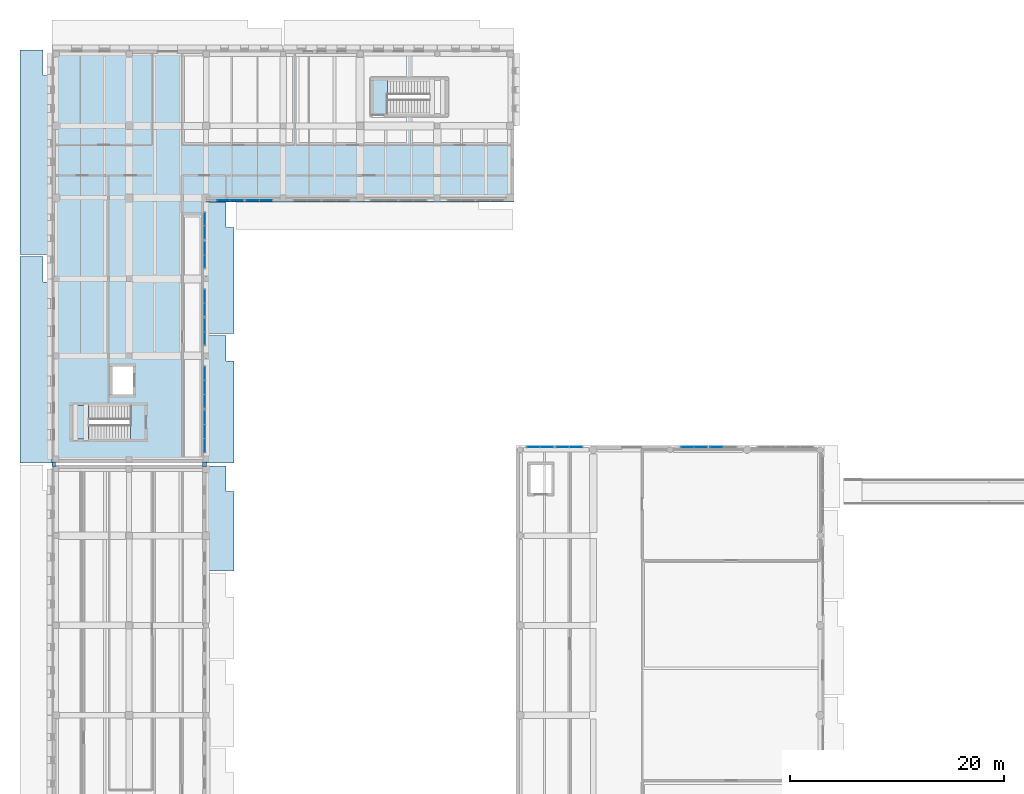
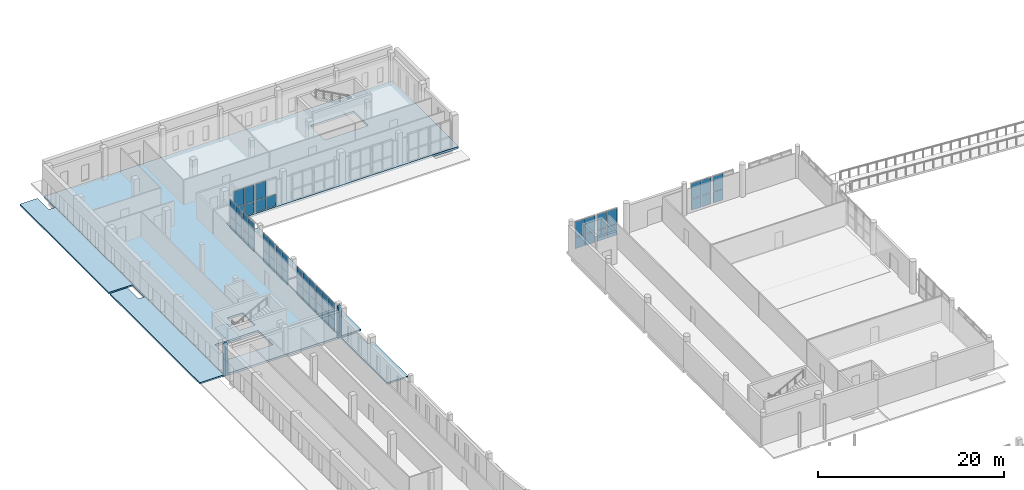
# One storey, part 42 of 77: 51 plates, 7 slabs, 13 elements without a shape of their own.
"""IFC4 building model written with IfcOpenShell, lengths in metres."""

from ifc_helpers import new_model, si_unit, direction, frame, origin, origin_2d, place, context, subcontext, project, spatial, polyline, rectangle, outline, extrude, material, layer, layer_set, type_object, element, aggregate, save


model = new_model("IFC4")

# Units and contexts
model_context = context("Model", 3, precision=1e-05, world=origin(), true_north=direction((0.0, 1.0)))
body_context = subcontext(model_context, "Body", "Model", "MODEL_VIEW")
ifc_project = project(units=[si_unit("LENGTHUNIT", "METRE"), si_unit("AREAUNIT", "SQUARE_METRE"), si_unit("VOLUMEUNIT", "CUBIC_METRE"), si_unit("PLANEANGLEUNIT", "RADIAN"), si_unit("MASSUNIT", "GRAM", prefix="KILO")], contexts=[model_context])

# Site, building, storey
site_placement = place(None, origin())
site = spatial("IfcSite", under=ifc_project, at=site_placement, CompositionType="ELEMENT")
building_placement = place(site_placement, origin())
building = spatial("IfcBuilding", under=site, at=building_placement, Name="Vardoun Plaza Health Centre", CompositionType="ELEMENT")
storey_placement = place(building_placement, origin())
storey = spatial("IfcBuildingStorey", under=building, at=storey_placement, Name="L00", CompositionType="ELEMENT", Elevation=0.0)

# Curtain wall, plates
ifc_material_1 = material(Name="Aluminium Alloy EN AW-6063-T6 and Low-E Glass", Category="aluminium")
ifc_layer_1 = layer(ifc_material_1, 0.159912109375)
ifc_layer_set_1 = layer_set([ifc_layer_1], Name="Aluminium Alloy EN AW-6063-T6 and Low-E Glass")
curtain_wall_type_1 = type_object("IfcCurtainWallType", Name="CW-02", PredefinedType="USERDEFINED", material=ifc_layer_set_1)
curtain_wall_1_placement = place(storey_placement, origin())
curtain_wall_1 = element("IfcCurtainWall", 1, at=curtain_wall_1_placement, inside=storey, type_object=curtain_wall_type_1, Name="Curtain Wall CW-V3-051", ObjectType="COURTYARD_CURTAIN_WALL", PredefinedType="USERDEFINED")
ifc_material_2 = material(Name="Solar-Control Double Low-E Glazing", Category="glass")
ifc_layer_2 = layer(ifc_material_2, 0.028076171875)
ifc_layer_set_2 = layer_set([ifc_layer_2], Name="Solar-Control Double Low-E Glazing")
plate_type_1 = type_object("IfcPlateType", Name="CW-P1", PredefinedType="CURTAIN_PANEL", material=ifc_layer_set_2)
plate_1_placement = place(storey_placement, frame((24.485107421875, 101.219970703125, 0.06005859375), z_axis=(0.0, 0.0, 1.0), x_axis=(-1.0, 0.0, 0.0)))
plate_1 = element("IfcPlate", 2, at=plate_1_placement, type_object=plate_type_1, Name="CW-V3-051 panel 1.1", PredefinedType="CURTAIN_PANEL", context=body_context, shape_type="SweptSolid", body=[
    extrude(rectangle(XDim=1.18994140625, YDim=0.028076171875, at=origin_2d()), origin(), (0.0, 0.0, 1.0), 1.514404296875),
])
plate_2_placement = place(storey_placement, frame((23.235107421875, 101.219970703125, 0.06005859375), z_axis=(0.0, 0.0, 1.0), x_axis=(-1.0, 0.0, 0.0)))
plate_2 = element("IfcPlate", 3, at=plate_2_placement, type_object=plate_type_1, Name="CW-V3-051 panel 2.1", PredefinedType="CURTAIN_PANEL", context=body_context, shape_type="SweptSolid", body=[
    extrude(rectangle(XDim=1.18994140625, YDim=0.028076171875, at=origin_2d()), origin(), (0.0, 0.0, 1.0), 1.514404296875),
])
plate_3_placement = place(storey_placement, frame((23.235107421875, 101.219970703125, 1.634521484375), z_axis=(0.0, 0.0, 1.0), x_axis=(-1.0, 0.0, 0.0)))
plate_3 = element("IfcPlate", 4, at=plate_3_placement, type_object=plate_type_1, Name="CW-V3-051 panel 2.2", PredefinedType="CURTAIN_PANEL", context=body_context, shape_type="SweptSolid", body=[
    extrude(rectangle(XDim=1.18994140625, YDim=0.028076171875, at=origin_2d()), origin(), (0.0, 0.0, 1.0), 2.12548828125),
])
aggregate(curtain_wall_1, [plate_1, plate_2, plate_3])

curtain_wall_2_placement = place(storey_placement, origin())
curtain_wall_2 = element("IfcCurtainWall", 5, at=curtain_wall_2_placement, inside=storey, type_object=curtain_wall_type_1, Name="Curtain Wall CW-V3-052", ObjectType="COURTYARD_CURTAIN_WALL", PredefinedType="USERDEFINED")
plate_4_placement = place(storey_placement, frame((21.764892578125, 101.219970703125, 0.06005859375), z_axis=(0.0, 0.0, 1.0), x_axis=(-1.0, 0.0, 0.0)))
plate_4 = element("IfcPlate", 6, at=plate_4_placement, type_object=plate_type_1, Name="CW-V3-052 panel 1.1", PredefinedType="CURTAIN_PANEL", context=body_context, shape_type="SweptSolid", body=[
    extrude(rectangle(XDim=1.18994140625, YDim=0.028076171875, at=origin_2d()), origin(), (0.0, 0.0, 1.0), 1.514404296875),
])
plate_5_placement = place(storey_placement, frame((21.764892578125, 101.219970703125, 1.634521484375), z_axis=(0.0, 0.0, 1.0), x_axis=(-1.0, 0.0, 0.0)))
plate_5 = element("IfcPlate", 7, at=plate_5_placement, type_object=plate_type_1, Name="CW-V3-052 panel 1.2", PredefinedType="CURTAIN_PANEL", context=body_context, shape_type="SweptSolid", body=[
    extrude(rectangle(XDim=1.18994140625, YDim=0.028076171875, at=origin_2d()), origin(), (0.0, 0.0, 1.0), 2.12548828125),
])
plate_6_placement = place(storey_placement, frame((20.514892578125, 101.219970703125, 0.06005859375), z_axis=(0.0, 0.0, 1.0), x_axis=(-1.0, 0.0, 0.0)))
plate_6 = element("IfcPlate", 8, at=plate_6_placement, type_object=plate_type_1, Name="CW-V3-052 panel 2.1", PredefinedType="CURTAIN_PANEL", context=body_context, shape_type="SweptSolid", body=[
    extrude(rectangle(XDim=1.18994140625, YDim=0.028076171875, at=origin_2d()), origin(), (0.0, 0.0, 1.0), 1.514404296875),
])
plate_7_placement = place(storey_placement, frame((20.514892578125, 101.219970703125, 1.634521484375), z_axis=(0.0, 0.0, 1.0), x_axis=(-1.0, 0.0, 0.0)))
plate_7 = element("IfcPlate", 9, at=plate_7_placement, type_object=plate_type_1, Name="CW-V3-052 panel 2.2", PredefinedType="CURTAIN_PANEL", context=body_context, shape_type="SweptSolid", body=[
    extrude(rectangle(XDim=1.18994140625, YDim=0.028076171875, at=origin_2d()), origin(), (0.0, 0.0, 1.0), 2.12548828125),
])
aggregate(curtain_wall_2, [plate_4, plate_5, plate_6, plate_7])

curtain_wall_3_placement = place(storey_placement, origin())
curtain_wall_3 = element("IfcCurtainWall", 10, at=curtain_wall_3_placement, inside=storey, type_object=curtain_wall_type_1, Name="Curtain Wall CW-V3-053", ObjectType="COURTYARD_CURTAIN_WALL", PredefinedType="USERDEFINED")
plate_8_placement = place(storey_placement, frame((18.780029296875, 99.485107421875, 0.06005859375), z_axis=(0.0, 0.0, 1.0), x_axis=(0.0, -1.0, 0.0)))
plate_8 = element("IfcPlate", 11, at=plate_8_placement, type_object=plate_type_1, Name="CW-V3-053 panel 1.1", PredefinedType="CURTAIN_PANEL", context=body_context, shape_type="SweptSolid", body=[
    extrude(rectangle(XDim=1.18994140625, YDim=0.028076171875, at=origin_2d()), origin(), (0.0, 0.0, 1.0), 1.522705078125),
])
plate_9_placement = place(storey_placement, frame((18.780029296875, 99.485107421875, 1.642822265625), z_axis=(0.0, 0.0, 1.0), x_axis=(0.0, -1.0, 0.0)))
plate_9 = element("IfcPlate", 12, at=plate_9_placement, type_object=plate_type_1, Name="CW-V3-053 panel 1.2", PredefinedType="CURTAIN_PANEL", context=body_context, shape_type="SweptSolid", body=[
    extrude(rectangle(XDim=1.18994140625, YDim=0.028076171875, at=origin_2d()), origin(), (0.0, 0.0, 1.0), 2.13720703125),
])
plate_10_placement = place(storey_placement, frame((18.780029296875, 98.235107421875, 0.06005859375), z_axis=(0.0, 0.0, 1.0), x_axis=(0.0, -1.0, 0.0)))
plate_10 = element("IfcPlate", 13, at=plate_10_placement, type_object=plate_type_1, Name="CW-V3-053 panel 2.1", PredefinedType="CURTAIN_PANEL", context=body_context, shape_type="SweptSolid", body=[
    extrude(rectangle(XDim=1.18994140625, YDim=0.028076171875, at=origin_2d()), origin(), (0.0, 0.0, 1.0), 1.522705078125),
])
plate_11_placement = place(storey_placement, frame((18.780029296875, 98.235107421875, 1.642822265625), z_axis=(0.0, 0.0, 1.0), x_axis=(0.0, -1.0, 0.0)))
plate_11 = element("IfcPlate", 14, at=plate_11_placement, type_object=plate_type_1, Name="CW-V3-053 panel 2.2", PredefinedType="CURTAIN_PANEL", context=body_context, shape_type="SweptSolid", body=[
    extrude(rectangle(XDim=1.18994140625, YDim=0.028076171875, at=origin_2d()), origin(), (0.0, 0.0, 1.0), 2.13720703125),
])
aggregate(curtain_wall_3, [plate_8, plate_9, plate_10, plate_11])

curtain_wall_4_placement = place(storey_placement, origin())
curtain_wall_4 = element("IfcCurtainWall", 15, at=curtain_wall_4_placement, inside=storey, type_object=curtain_wall_type_1, Name="Curtain Wall CW-V3-054", ObjectType="COURTYARD_CURTAIN_WALL", PredefinedType="USERDEFINED")
plate_12_placement = place(storey_placement, frame((18.780029296875, 96.764892578125, 0.06005859375), z_axis=(0.0, 0.0, 1.0), x_axis=(0.0, -1.0, 0.0)))
plate_12 = element("IfcPlate", 16, at=plate_12_placement, type_object=plate_type_1, Name="CW-V3-054 panel 1.1", PredefinedType="CURTAIN_PANEL", context=body_context, shape_type="SweptSolid", body=[
    extrude(rectangle(XDim=1.18994140625, YDim=0.028076171875, at=origin_2d()), origin(), (0.0, 0.0, 1.0), 1.522705078125),
])
plate_13_placement = place(storey_placement, frame((18.780029296875, 96.764892578125, 1.642822265625), z_axis=(0.0, 0.0, 1.0), x_axis=(0.0, -1.0, 0.0)))
plate_13 = element("IfcPlate", 17, at=plate_13_placement, type_object=plate_type_1, Name="CW-V3-054 panel 1.2", PredefinedType="CURTAIN_PANEL", context=body_context, shape_type="SweptSolid", body=[
    extrude(rectangle(XDim=1.18994140625, YDim=0.028076171875, at=origin_2d()), origin(), (0.0, 0.0, 1.0), 2.13720703125),
])
plate_14_placement = place(storey_placement, frame((18.780029296875, 95.514892578125, 0.06005859375), z_axis=(0.0, 0.0, 1.0), x_axis=(0.0, -1.0, 0.0)))
plate_14 = element("IfcPlate", 18, at=plate_14_placement, type_object=plate_type_1, Name="CW-V3-054 panel 2.1", PredefinedType="CURTAIN_PANEL", context=body_context, shape_type="SweptSolid", body=[
    extrude(rectangle(XDim=1.18994140625, YDim=0.028076171875, at=origin_2d()), origin(), (0.0, 0.0, 1.0), 1.522705078125),
])
plate_15_placement = place(storey_placement, frame((18.780029296875, 95.514892578125, 1.642822265625), z_axis=(0.0, 0.0, 1.0), x_axis=(0.0, -1.0, 0.0)))
plate_15 = element("IfcPlate", 19, at=plate_15_placement, type_object=plate_type_1, Name="CW-V3-054 panel 2.2", PredefinedType="CURTAIN_PANEL", context=body_context, shape_type="SweptSolid", body=[
    extrude(rectangle(XDim=1.18994140625, YDim=0.028076171875, at=origin_2d()), origin(), (0.0, 0.0, 1.0), 2.13720703125),
])
aggregate(curtain_wall_4, [plate_12, plate_13, plate_14, plate_15])

curtain_wall_5_placement = place(storey_placement, origin())
curtain_wall_5 = element("IfcCurtainWall", 20, at=curtain_wall_5_placement, inside=storey, type_object=curtain_wall_type_1, Name="Curtain Wall CW-V3-055", ObjectType="COURTYARD_CURTAIN_WALL", PredefinedType="USERDEFINED")
plate_16_placement = place(storey_placement, frame((18.780029296875, 92.284912109375, 0.06005859375), z_axis=(0.0, 0.0, 1.0), x_axis=(0.0, -1.0, 0.0)))
plate_16 = element("IfcPlate", 21, at=plate_16_placement, type_object=plate_type_1, Name="CW-V3-055 panel 1.1", PredefinedType="CURTAIN_PANEL", context=body_context, shape_type="SweptSolid", body=[
    extrude(rectangle(XDim=1.18994140625, YDim=0.028076171875, at=origin_2d()), origin(), (0.0, 0.0, 1.0), 1.514404296875),
])
plate_17_placement = place(storey_placement, frame((18.780029296875, 92.284912109375, 1.634521484375), z_axis=(0.0, 0.0, 1.0), x_axis=(0.0, -1.0, 0.0)))
plate_17 = element("IfcPlate", 22, at=plate_17_placement, type_object=plate_type_1, Name="CW-V3-055 panel 1.2", PredefinedType="CURTAIN_PANEL", context=body_context, shape_type="SweptSolid", body=[
    extrude(rectangle(XDim=1.18994140625, YDim=0.028076171875, at=origin_2d()), origin(), (0.0, 0.0, 1.0), 2.12548828125),
])
plate_18_placement = place(storey_placement, frame((18.780029296875, 91.034912109375, 0.06005859375), z_axis=(0.0, 0.0, 1.0), x_axis=(0.0, -1.0, 0.0)))
plate_18 = element("IfcPlate", 23, at=plate_18_placement, type_object=plate_type_1, Name="CW-V3-055 panel 2.1", PredefinedType="CURTAIN_PANEL", context=body_context, shape_type="SweptSolid", body=[
    extrude(rectangle(XDim=1.18994140625, YDim=0.028076171875, at=origin_2d()), origin(), (0.0, 0.0, 1.0), 1.514404296875),
])
plate_19_placement = place(storey_placement, frame((18.780029296875, 91.034912109375, 1.634521484375), z_axis=(0.0, 0.0, 1.0), x_axis=(0.0, -1.0, 0.0)))
plate_19 = element("IfcPlate", 24, at=plate_19_placement, type_object=plate_type_1, Name="CW-V3-055 panel 2.2", PredefinedType="CURTAIN_PANEL", context=body_context, shape_type="SweptSolid", body=[
    extrude(rectangle(XDim=1.18994140625, YDim=0.028076171875, at=origin_2d()), origin(), (0.0, 0.0, 1.0), 2.12548828125),
])
aggregate(curtain_wall_5, [plate_16, plate_17, plate_18, plate_19])

curtain_wall_6_placement = place(storey_placement, origin())
curtain_wall_6 = element("IfcCurtainWall", 25, at=curtain_wall_6_placement, inside=storey, type_object=curtain_wall_type_1, Name="Curtain Wall CW-V3-056", ObjectType="COURTYARD_CURTAIN_WALL", PredefinedType="USERDEFINED")
plate_20_placement = place(storey_placement, frame((18.780029296875, 89.56494140625, 0.06005859375), z_axis=(0.0, 0.0, 1.0), x_axis=(0.0, -1.0, 0.0)))
plate_20 = element("IfcPlate", 26, at=plate_20_placement, type_object=plate_type_1, Name="CW-V3-056 panel 1.1", PredefinedType="CURTAIN_PANEL", context=body_context, shape_type="SweptSolid", body=[
    extrude(rectangle(XDim=1.18994140625, YDim=0.028076171875, at=origin_2d()), origin(), (0.0, 0.0, 1.0), 1.514404296875),
])
plate_21_placement = place(storey_placement, frame((18.780029296875, 89.56494140625, 1.634521484375), z_axis=(0.0, 0.0, 1.0), x_axis=(0.0, -1.0, 0.0)))
plate_21 = element("IfcPlate", 27, at=plate_21_placement, type_object=plate_type_1, Name="CW-V3-056 panel 1.2", PredefinedType="CURTAIN_PANEL", context=body_context, shape_type="SweptSolid", body=[
    extrude(rectangle(XDim=1.18994140625, YDim=0.028076171875, at=origin_2d()), origin(), (0.0, 0.0, 1.0), 2.12548828125),
])
plate_22_placement = place(storey_placement, frame((18.780029296875, 88.31494140625, 0.06005859375), z_axis=(0.0, 0.0, 1.0), x_axis=(0.0, -1.0, 0.0)))
plate_22 = element("IfcPlate", 28, at=plate_22_placement, type_object=plate_type_1, Name="CW-V3-056 panel 2.1", PredefinedType="CURTAIN_PANEL", context=body_context, shape_type="SweptSolid", body=[
    extrude(rectangle(XDim=1.18994140625, YDim=0.028076171875, at=origin_2d()), origin(), (0.0, 0.0, 1.0), 1.514404296875),
])
plate_23_placement = place(storey_placement, frame((18.780029296875, 88.31494140625, 1.634521484375), z_axis=(0.0, 0.0, 1.0), x_axis=(0.0, -1.0, 0.0)))
plate_23 = element("IfcPlate", 29, at=plate_23_placement, type_object=plate_type_1, Name="CW-V3-056 panel 2.2", PredefinedType="CURTAIN_PANEL", context=body_context, shape_type="SweptSolid", body=[
    extrude(rectangle(XDim=1.18994140625, YDim=0.028076171875, at=origin_2d()), origin(), (0.0, 0.0, 1.0), 2.12548828125),
])
aggregate(curtain_wall_6, [plate_20, plate_21, plate_22, plate_23])

curtain_wall_7_placement = place(storey_placement, origin())
curtain_wall_7 = element("IfcCurtainWall", 30, at=curtain_wall_7_placement, inside=storey, type_object=curtain_wall_type_1, Name="Curtain Wall CW-V3-057", ObjectType="COURTYARD_CURTAIN_WALL", PredefinedType="USERDEFINED")
plate_24_placement = place(storey_placement, frame((18.780029296875, 85.063232421875, 0.06005859375), z_axis=(0.0, 0.0, 1.0), x_axis=(0.0, -1.0, 0.0)))
plate_24 = element("IfcPlate", 31, at=plate_24_placement, type_object=plate_type_1, Name="CW-V3-057 panel 1.1", PredefinedType="CURTAIN_PANEL", context=body_context, shape_type="SweptSolid", body=[
    extrude(rectangle(XDim=1.2333984375, YDim=0.028076171875, at=origin_2d()), origin(), (0.0, 0.0, 1.0), 1.506103515625),
])
plate_25_placement = place(storey_placement, frame((18.780029296875, 85.063232421875, 1.6259765625), z_axis=(0.0, 0.0, 1.0), x_axis=(0.0, -1.0, 0.0)))
plate_25 = element("IfcPlate", 32, at=plate_25_placement, type_object=plate_type_1, Name="CW-V3-057 panel 1.2", PredefinedType="CURTAIN_PANEL", context=body_context, shape_type="SweptSolid", body=[
    extrude(rectangle(XDim=1.2333984375, YDim=0.028076171875, at=origin_2d()), origin(), (0.0, 0.0, 1.0), 2.114013671875),
])
plate_26_placement = place(storey_placement, frame((18.780029296875, 83.7548828125, 0.06005859375), z_axis=(0.0, 0.0, 1.0), x_axis=(0.0, -1.0, 0.0)))
plate_26 = element("IfcPlate", 33, at=plate_26_placement, type_object=plate_type_1, Name="CW-V3-057 panel 2.1", PredefinedType="CURTAIN_PANEL", context=body_context, shape_type="SweptSolid", body=[
    extrude(rectangle(XDim=1.263427734375, YDim=0.028076171875, at=origin_2d()), origin(), (0.0, 0.0, 1.0), 1.506103515625),
])
plate_27_placement = place(storey_placement, frame((18.780029296875, 83.7548828125, 1.6259765625), z_axis=(0.0, 0.0, 1.0), x_axis=(0.0, -1.0, 0.0)))
plate_27 = element("IfcPlate", 34, at=plate_27_placement, type_object=plate_type_1, Name="CW-V3-057 panel 2.2", PredefinedType="CURTAIN_PANEL", context=body_context, shape_type="SweptSolid", body=[
    extrude(rectangle(XDim=1.263427734375, YDim=0.028076171875, at=origin_2d()), origin(), (0.0, 0.0, 1.0), 2.114013671875),
])
plate_28_placement = place(storey_placement, frame((18.780029296875, 82.44677734375, 0.06005859375), z_axis=(0.0, 0.0, 1.0), x_axis=(0.0, -1.0, 0.0)))
plate_28 = element("IfcPlate", 35, at=plate_28_placement, type_object=plate_type_1, Name="CW-V3-057 panel 3.1", PredefinedType="CURTAIN_PANEL", context=body_context, shape_type="SweptSolid", body=[
    extrude(rectangle(XDim=1.2333984375, YDim=0.028076171875, at=origin_2d()), origin(), (0.0, 0.0, 1.0), 1.506103515625),
])
plate_29_placement = place(storey_placement, frame((18.780029296875, 82.44677734375, 1.6259765625), z_axis=(0.0, 0.0, 1.0), x_axis=(0.0, -1.0, 0.0)))
plate_29 = element("IfcPlate", 36, at=plate_29_placement, type_object=plate_type_1, Name="CW-V3-057 panel 3.2", PredefinedType="CURTAIN_PANEL", context=body_context, shape_type="SweptSolid", body=[
    extrude(rectangle(XDim=1.2333984375, YDim=0.028076171875, at=origin_2d()), origin(), (0.0, 0.0, 1.0), 2.114013671875),
])
aggregate(curtain_wall_7, [plate_24, plate_25, plate_26, plate_27, plate_28, plate_29])

curtain_wall_8_placement = place(storey_placement, origin())
curtain_wall_8 = element("IfcCurtainWall", 37, at=curtain_wall_8_placement, inside=storey, type_object=curtain_wall_type_1, Name="Curtain Wall CW-V3-058", ObjectType="COURTYARD_CURTAIN_WALL", PredefinedType="USERDEFINED")
plate_30_placement = place(storey_placement, frame((18.780029296875, 80.933349609375, 0.06005859375), z_axis=(0.0, 0.0, 1.0), x_axis=(0.0, -1.0, 0.0)))
plate_30 = element("IfcPlate", 38, at=plate_30_placement, type_object=plate_type_1, Name="CW-V3-058 panel 1.1", PredefinedType="CURTAIN_PANEL", context=body_context, shape_type="SweptSolid", body=[
    extrude(rectangle(XDim=1.2333984375, YDim=0.028076171875, at=origin_2d()), origin(), (0.0, 0.0, 1.0), 1.506103515625),
])
plate_31_placement = place(storey_placement, frame((18.780029296875, 80.933349609375, 1.6259765625), z_axis=(0.0, 0.0, 1.0), x_axis=(0.0, -1.0, 0.0)))
plate_31 = element("IfcPlate", 39, at=plate_31_placement, type_object=plate_type_1, Name="CW-V3-058 panel 1.2", PredefinedType="CURTAIN_PANEL", context=body_context, shape_type="SweptSolid", body=[
    extrude(rectangle(XDim=1.2333984375, YDim=0.028076171875, at=origin_2d()), origin(), (0.0, 0.0, 1.0), 2.114013671875),
])
plate_32_placement = place(storey_placement, frame((18.780029296875, 79.625, 0.06005859375), z_axis=(0.0, 0.0, 1.0), x_axis=(0.0, -1.0, 0.0)))
plate_32 = element("IfcPlate", 40, at=plate_32_placement, type_object=plate_type_1, Name="CW-V3-058 panel 2.1", PredefinedType="CURTAIN_PANEL", context=body_context, shape_type="SweptSolid", body=[
    extrude(rectangle(XDim=1.263427734375, YDim=0.028076171875, at=origin_2d()), origin(), (0.0, 0.0, 1.0), 1.506103515625),
])
plate_33_placement = place(storey_placement, frame((18.780029296875, 79.625, 1.6259765625), z_axis=(0.0, 0.0, 1.0), x_axis=(0.0, -1.0, 0.0)))
plate_33 = element("IfcPlate", 41, at=plate_33_placement, type_object=plate_type_1, Name="CW-V3-058 panel 2.2", PredefinedType="CURTAIN_PANEL", context=body_context, shape_type="SweptSolid", body=[
    extrude(rectangle(XDim=1.263427734375, YDim=0.028076171875, at=origin_2d()), origin(), (0.0, 0.0, 1.0), 2.114013671875),
])
plate_34_placement = place(storey_placement, frame((18.780029296875, 78.316650390625, 0.06005859375), z_axis=(0.0, 0.0, 1.0), x_axis=(0.0, -1.0, 0.0)))
plate_34 = element("IfcPlate", 42, at=plate_34_placement, type_object=plate_type_1, Name="CW-V3-058 panel 3.1", PredefinedType="CURTAIN_PANEL", context=body_context, shape_type="SweptSolid", body=[
    extrude(rectangle(XDim=1.2333984375, YDim=0.028076171875, at=origin_2d()), origin(), (0.0, 0.0, 1.0), 1.506103515625),
])
plate_35_placement = place(storey_placement, frame((18.780029296875, 78.316650390625, 1.6259765625), z_axis=(0.0, 0.0, 1.0), x_axis=(0.0, -1.0, 0.0)))
plate_35 = element("IfcPlate", 43, at=plate_35_placement, type_object=plate_type_1, Name="CW-V3-058 panel 3.2", PredefinedType="CURTAIN_PANEL", context=body_context, shape_type="SweptSolid", body=[
    extrude(rectangle(XDim=1.2333984375, YDim=0.028076171875, at=origin_2d()), origin(), (0.0, 0.0, 1.0), 2.114013671875),
])
aggregate(curtain_wall_8, [plate_30, plate_31, plate_32, plate_33, plate_34, plate_35])

ifc_material_3 = material(Name="Aluminium Alloy EN AW-6063-T6 and Low-E Glass", Category="aluminium")
ifc_layer_3 = layer(ifc_material_3, 0.179931640625)
ifc_layer_set_3 = layer_set([ifc_layer_3], Name="Aluminium Alloy EN AW-6063-T6 and Low-E Glass")
curtain_wall_type_2 = type_object("IfcCurtainWallType", Name="CW-01", PredefinedType="USERDEFINED", material=ifc_layer_set_3)
curtain_wall_9_placement = place(storey_placement, origin())
curtain_wall_9 = element("IfcCurtainWall", 44, at=curtain_wall_9_placement, inside=storey, type_object=curtain_wall_type_2, Name="Curtain Wall CW-V1-001", ObjectType="CONCOURSE_CURTAIN_WALL", PredefinedType="USERDEFINED")
ifc_material_4 = material(Name="Acoustic Laminated Double Low-E Glazing", Category="glass")
ifc_layer_4 = layer(ifc_material_4, 0.031982421875)
ifc_layer_set_4 = layer_set([ifc_layer_4], Name="Acoustic Laminated Double Low-E Glazing")
plate_type_2 = type_object("IfcPlateType", Name="CW-P2", PredefinedType="CURTAIN_PANEL", material=ifc_layer_set_4)
plate_36_placement = place(storey_placement, frame((49.496337890625, 78.179931640625, 0.06494140625), z_axis=(0.0, 0.0, 1.0), x_axis=(1.0, 0.0, 0.0)))
plate_36 = element("IfcPlate", 45, at=plate_36_placement, type_object=plate_type_2, Name="CW-V1-001 panel 1.1", PredefinedType="CURTAIN_PANEL", context=body_context, shape_type="SweptSolid", body=[
    extrude(rectangle(XDim=1.1826171875, YDim=0.031982421875, at=origin_2d()), origin(), (0.0, 0.0, 1.0), 1.4375),
])
plate_37_placement = place(storey_placement, frame((49.496337890625, 78.179931640625, 1.567626953125), z_axis=(0.0, 0.0, 1.0), x_axis=(1.0, 0.0, 0.0)))
plate_37 = element("IfcPlate", 46, at=plate_37_placement, type_object=plate_type_2, Name="CW-V1-001 panel 1.2", PredefinedType="CURTAIN_PANEL", context=body_context, shape_type="SweptSolid", body=[
    extrude(rectangle(XDim=1.1826171875, YDim=0.031982421875, at=origin_2d()), origin(), (0.0, 0.0, 1.0), 2.0224609375),
])
plate_38_placement = place(storey_placement, frame((50.74365234375, 78.179931640625, 0.06494140625), z_axis=(0.0, 0.0, 1.0), x_axis=(1.0, 0.0, 0.0)))
plate_38 = element("IfcPlate", 47, at=plate_38_placement, type_object=plate_type_2, Name="CW-V1-001 panel 2.1", PredefinedType="CURTAIN_PANEL", context=body_context, shape_type="SweptSolid", body=[
    extrude(rectangle(XDim=1.1826171875, YDim=0.031982421875, at=origin_2d()), origin(), (0.0, 0.0, 1.0), 1.4375),
])
plate_39_placement = place(storey_placement, frame((50.74365234375, 78.179931640625, 1.567626953125), z_axis=(0.0, 0.0, 1.0), x_axis=(1.0, 0.0, 0.0)))
plate_39 = element("IfcPlate", 48, at=plate_39_placement, type_object=plate_type_2, Name="CW-V1-001 panel 2.2", PredefinedType="CURTAIN_PANEL", context=body_context, shape_type="SweptSolid", body=[
    extrude(rectangle(XDim=1.1826171875, YDim=0.031982421875, at=origin_2d()), origin(), (0.0, 0.0, 1.0), 2.0224609375),
])
aggregate(curtain_wall_9, [plate_36, plate_37, plate_38, plate_39])

curtain_wall_10_placement = place(storey_placement, origin())
curtain_wall_10 = element("IfcCurtainWall", 49, at=curtain_wall_10_placement, inside=storey, type_object=curtain_wall_type_2, Name="Curtain Wall CW-V1-002", ObjectType="CONCOURSE_CURTAIN_WALL", PredefinedType="USERDEFINED")
plate_40_placement = place(storey_placement, frame((52.21630859375, 78.179931640625, 0.06494140625), z_axis=(0.0, 0.0, 1.0), x_axis=(1.0, 0.0, 0.0)))
plate_40 = element("IfcPlate", 50, at=plate_40_placement, type_object=plate_type_2, Name="CW-V1-002 panel 1.1", PredefinedType="CURTAIN_PANEL", context=body_context, shape_type="SweptSolid", body=[
    extrude(rectangle(XDim=1.1826171875, YDim=0.031982421875, at=origin_2d()), origin(), (0.0, 0.0, 1.0), 1.4375),
])
plate_41_placement = place(storey_placement, frame((52.21630859375, 78.179931640625, 1.567626953125), z_axis=(0.0, 0.0, 1.0), x_axis=(1.0, 0.0, 0.0)))
plate_41 = element("IfcPlate", 51, at=plate_41_placement, type_object=plate_type_2, Name="CW-V1-002 panel 1.2", PredefinedType="CURTAIN_PANEL", context=body_context, shape_type="SweptSolid", body=[
    extrude(rectangle(XDim=1.1826171875, YDim=0.031982421875, at=origin_2d()), origin(), (0.0, 0.0, 1.0), 2.0224609375),
])
plate_42_placement = place(storey_placement, frame((53.4638671875, 78.179931640625, 0.06494140625), z_axis=(0.0, 0.0, 1.0), x_axis=(1.0, 0.0, 0.0)))
plate_42 = element("IfcPlate", 52, at=plate_42_placement, type_object=plate_type_2, Name="CW-V1-002 panel 2.1", PredefinedType="CURTAIN_PANEL", context=body_context, shape_type="SweptSolid", body=[
    extrude(rectangle(XDim=1.1826171875, YDim=0.031982421875, at=origin_2d()), origin(), (0.0, 0.0, 1.0), 1.4375),
])
plate_43_placement = place(storey_placement, frame((53.4638671875, 78.179931640625, 1.567626953125), z_axis=(0.0, 0.0, 1.0), x_axis=(1.0, 0.0, 0.0)))
plate_43 = element("IfcPlate", 53, at=plate_43_placement, type_object=plate_type_2, Name="CW-V1-002 panel 2.2", PredefinedType="CURTAIN_PANEL", context=body_context, shape_type="SweptSolid", body=[
    extrude(rectangle(XDim=1.1826171875, YDim=0.031982421875, at=origin_2d()), origin(), (0.0, 0.0, 1.0), 2.0224609375),
])
aggregate(curtain_wall_10, [plate_40, plate_41, plate_42, plate_43])

curtain_wall_11_placement = place(storey_placement, origin())
curtain_wall_11 = element("IfcCurtainWall", 54, at=curtain_wall_11_placement, inside=storey, type_object=curtain_wall_type_2, Name="Curtain Wall CW-V1-003", ObjectType="CONCOURSE_CURTAIN_WALL", PredefinedType="USERDEFINED")
plate_44_placement = place(storey_placement, frame((63.896240234375, 78.179931640625, 0.06494140625), z_axis=(0.0, 0.0, 1.0), x_axis=(1.0, 0.0, 0.0)))
plate_44 = element("IfcPlate", 55, at=plate_44_placement, type_object=plate_type_2, Name="CW-V1-003 panel 1.1", PredefinedType="CURTAIN_PANEL", context=body_context, shape_type="SweptSolid", body=[
    extrude(rectangle(XDim=1.1826171875, YDim=0.031982421875, at=origin_2d()), origin(), (0.0, 0.0, 1.0), 1.425048828125),
])
plate_45_placement = place(storey_placement, frame((63.896240234375, 78.179931640625, 1.55517578125), z_axis=(0.0, 0.0, 1.0), x_axis=(1.0, 0.0, 0.0)))
plate_45 = element("IfcPlate", 56, at=plate_45_placement, type_object=plate_type_2, Name="CW-V1-003 panel 1.2", PredefinedType="CURTAIN_PANEL", context=body_context, shape_type="SweptSolid", body=[
    extrude(rectangle(XDim=1.1826171875, YDim=0.031982421875, at=origin_2d()), origin(), (0.0, 0.0, 1.0), 2.0048828125),
])
plate_46_placement = place(storey_placement, frame((65.143798828125, 78.179931640625, 0.06494140625), z_axis=(0.0, 0.0, 1.0), x_axis=(1.0, 0.0, 0.0)))
plate_46 = element("IfcPlate", 57, at=plate_46_placement, type_object=plate_type_2, Name="CW-V1-003 panel 2.1", PredefinedType="CURTAIN_PANEL", context=body_context, shape_type="SweptSolid", body=[
    extrude(rectangle(XDim=1.1826171875, YDim=0.031982421875, at=origin_2d()), origin(), (0.0, 0.0, 1.0), 1.425048828125),
])
plate_47_placement = place(storey_placement, frame((65.143798828125, 78.179931640625, 1.55517578125), z_axis=(0.0, 0.0, 1.0), x_axis=(1.0, 0.0, 0.0)))
plate_47 = element("IfcPlate", 58, at=plate_47_placement, type_object=plate_type_2, Name="CW-V1-003 panel 2.2", PredefinedType="CURTAIN_PANEL", context=body_context, shape_type="SweptSolid", body=[
    extrude(rectangle(XDim=1.1826171875, YDim=0.031982421875, at=origin_2d()), origin(), (0.0, 0.0, 1.0), 2.0048828125),
])
aggregate(curtain_wall_11, [plate_44, plate_45, plate_46, plate_47])

curtain_wall_12_placement = place(storey_placement, origin())
curtain_wall_12 = element("IfcCurtainWall", 59, at=curtain_wall_12_placement, inside=storey, type_object=curtain_wall_type_2, Name="Curtain Wall CW-V1-004", ObjectType="CONCOURSE_CURTAIN_WALL", PredefinedType="USERDEFINED")
plate_48_placement = place(storey_placement, frame((66.6162109375, 78.179931640625, 0.06494140625), z_axis=(0.0, 0.0, 1.0), x_axis=(1.0, 0.0, 0.0)))
plate_48 = element("IfcPlate", 60, at=plate_48_placement, type_object=plate_type_2, Name="CW-V1-004 panel 1.1", PredefinedType="CURTAIN_PANEL", context=body_context, shape_type="SweptSolid", body=[
    extrude(rectangle(XDim=1.1826171875, YDim=0.031982421875, at=origin_2d()), origin(), (0.0, 0.0, 1.0), 1.425048828125),
])
plate_49_placement = place(storey_placement, frame((66.6162109375, 78.179931640625, 1.55517578125), z_axis=(0.0, 0.0, 1.0), x_axis=(1.0, 0.0, 0.0)))
plate_49 = element("IfcPlate", 61, at=plate_49_placement, type_object=plate_type_2, Name="CW-V1-004 panel 1.2", PredefinedType="CURTAIN_PANEL", context=body_context, shape_type="SweptSolid", body=[
    extrude(rectangle(XDim=1.1826171875, YDim=0.031982421875, at=origin_2d()), origin(), (0.0, 0.0, 1.0), 2.0048828125),
])
aggregate(curtain_wall_12, [plate_48, plate_49])

# Stair, slab
ifc_material_5 = material(Name="Concrete C35/45", Category="concrete")
stair_type = type_object("IfcStairType", Name="ST-01", PredefinedType="HALF_TURN_STAIR", material=ifc_material_5)
stair_placement = place(storey_placement, origin())
stair = element("IfcStair", 62, at=stair_placement, inside=storey, type_object=stair_type, Name="Core C3 L00 Exit Stair ST-C3-L00", PredefinedType="HALF_TURN_STAIR")
ifc_material_6 = material(Name="Concrete C35/45", Category="concrete")
ifc_layer_5 = layer(ifc_material_6, 0.199951171875)
ifc_layer_set_5 = layer_set([ifc_layer_5], Name="Concrete C35/45")
slab_type_1 = type_object("IfcSlabType", Name="SL-LD", PredefinedType="LANDING", material=ifc_layer_set_5)
slab_1_placement = place(storey_placement, frame((0.0, 0.0, 2.050048828125)))
slab_1 = element("IfcSlab", 63, at=slab_1_placement, type_object=slab_type_1, Name="ST-C3-L00 landing 1", PredefinedType="LANDING", context=body_context, shape_type="SweptSolid", body=[
    extrude(outline(polyline([(6.449951171875, 78.949951171875), (7.9306640625, 78.949951171875), (7.9306640625, 82.050048828125), (6.449951171875, 82.050048828125), (6.449951171875, 78.949951171875)])), origin(), (0.0, 0.0, 1.0), 0.199951171875),
])
aggregate(stair, [slab_1])

# Plates
ifc_material_7 = material(Name="Aluminium Alloy EN AW-6063-T6", Category="aluminium")
ifc_layer_6 = layer(ifc_material_7, 0.050048828125)
ifc_layer_set_6 = layer_set([ifc_layer_6], Name="Aluminium Alloy EN AW-6063-T6")
plate_type_3 = type_object("IfcPlateType", Name="SJ-01", PredefinedType="SHEET", material=ifc_layer_set_6)
for number, where, z_axis, x_axis, name in (
    (64, (4.659912109375, 76.590087890625, 0.0), (0.0, 0.0, 1.0), (1.0, 0.0, 0.0), "Seismic Joint Facade Cover SJ-V23-W-L00"),
    (65, (18.739990234375, 76.590087890625, 0.0), (0.0, 0.0, 1.0), (1.0, 0.0, 0.0), "Seismic Joint Facade Cover SJ-V23-E-L00"),
):
    element("IfcPlate", number, at=place(storey_placement, frame(where, z_axis=z_axis, x_axis=x_axis)), inside=storey, type_object=plate_type_3, Name=name, PredefinedType="SHEET", context=body_context, shape_type="SweptSolid", body=[
        extrude(rectangle(XDim=0.360107421875, YDim=0.419921875, at=origin_2d()), origin(), (0.0, 0.0, 1.0), 4.10009765625),
    ])

# Slabs
ifc_material_8 = material(Name="Concrete C35/45", Category="concrete")
ifc_layer_7 = layer(ifc_material_8, 0.264892578125)
ifc_layer_set_7 = layer_set([ifc_layer_7], Name="Concrete C35/45")
slab_type_2 = type_object("IfcSlabType", Name="SL-02", PredefinedType="FLOOR", material=ifc_layer_set_7)
slab_2_placement = place(storey_placement, frame((0.0, 0.0, -0.264892578125)))
element("IfcSlab", 66, at=slab_2_placement, inside=storey, type_object=slab_type_2, Name="V3 L00 Structural Slab", PredefinedType="FLOOR", context=body_context, shape_type="SweptSolid", body=[
    extrude(outline(polyline([(4.5, 76.679931640625), (18.89990234375, 76.679931640625), (18.89990234375, 101.10009765625), (47.699951171875, 101.10009765625), (47.699951171875, 115.300048828125), (4.5, 115.300048828125), (4.5, 76.679931640625)]), holes=[polyline([(6.449951171875, 78.949951171875), (11.849365234375, 78.949951171875), (11.849365234375, 82.050048828125), (6.449951171875, 82.050048828125), (6.449951171875, 78.949951171875)]), polyline([(10.1201171875, 83.070068359375), (12.080078125, 83.070068359375), (12.080078125, 85.72998046875), (10.1201171875, 85.72998046875), (10.1201171875, 83.070068359375)]), polyline([(35.8505859375, 109.35009765625), (41.25, 109.35009765625), (41.25, 112.449951171875), (35.8505859375, 112.449951171875), (35.8505859375, 109.35009765625)])]), origin(), (0.0, 0.0, 1.0), 0.264892578125),
])
ifc_material_9 = material(Name="Pale Limestone Concrete C35/45", Category="masonry")
ifc_layer_8 = layer(ifc_material_9, 0.169921875)
ifc_layer_set_8 = layer_set([ifc_layer_8], Name="Pale Limestone Concrete C35/45")
slab_type_3 = type_object("IfcSlabType", Name="SL-T2", PredefinedType="USERDEFINED", material=ifc_layer_set_8)
slab_3_placement = place(storey_placement, frame((0.0, 0.0, -0.199951171875)))
element("IfcSlab", 67, at=slab_3_placement, inside=storey, type_object=slab_type_3, Name="Ground Plaza Paving Apron PZ-W3", ObjectType="PAVING", PredefinedType="USERDEFINED", context=body_context, shape_type="SweptSolid", body=[
    extrude(outline(polyline([(1.5, 76.679931640625), (4.5, 76.679931640625), (4.5, 93.60009765625), (3.659912109375, 93.60009765625), (3.659912109375, 96.0), (1.5, 96.0), (1.5, 76.679931640625)])), origin(), (0.0, 0.0, 1.0), 0.199951171875),
])
slab_4_placement = place(storey_placement, frame((0.0, 0.0, -0.199951171875)))
element("IfcSlab", 68, at=slab_4_placement, inside=storey, type_object=slab_type_3, Name="Ground Plaza Paving Apron PZ-W4", ObjectType="PAVING", PredefinedType="USERDEFINED", context=body_context, shape_type="SweptSolid", body=[
    extrude(outline(polyline([(1.5, 96.199951171875), (4.5, 96.199951171875), (4.5, 112.89990234375), (3.659912109375, 112.89990234375), (3.659912109375, 115.300048828125), (1.5, 115.300048828125), (1.5, 96.199951171875)])), origin(), (0.0, 0.0, 1.0), 0.199951171875),
])
slab_5_placement = place(storey_placement, frame((0.0, 0.0, -0.199951171875)))
element("IfcSlab", 69, at=slab_5_placement, inside=storey, type_object=slab_type_3, Name="Ground Plaza Paving Apron PZ-C04", ObjectType="PAVING", PredefinedType="USERDEFINED", context=body_context, shape_type="SweptSolid", body=[
    extrude(outline(polyline([(18.89990234375, 66.60009765625), (21.5, 66.60009765625), (21.5, 74.0), (20.77197265625, 74.0), (20.77197265625, 76.39990234375), (18.89990234375, 76.39990234375), (18.89990234375, 66.60009765625)])), origin(), (0.0, 0.0, 1.0), 0.199951171875),
])
slab_6_placement = place(storey_placement, frame((0.0, 0.0, -0.199951171875)))
element("IfcSlab", 70, at=slab_6_placement, inside=storey, type_object=slab_type_3, Name="Ground Plaza Paving Apron PZ-C15", ObjectType="PAVING", PredefinedType="USERDEFINED", context=body_context, shape_type="SweptSolid", body=[
    extrude(outline(polyline([(18.89990234375, 76.679931640625), (21.5, 76.679931640625), (21.5, 86.199951171875), (20.77197265625, 86.199951171875), (20.77197265625, 88.60009765625), (18.89990234375, 88.60009765625), (18.89990234375, 76.679931640625)])), origin(), (0.0, 0.0, 1.0), 0.199951171875),
])
slab_7_placement = place(storey_placement, frame((0.0, 0.0, -0.199951171875)))
element("IfcSlab", 71, at=slab_7_placement, inside=storey, type_object=slab_type_3, Name="Ground Plaza Paving Apron PZ-C16", ObjectType="PAVING", PredefinedType="USERDEFINED", context=body_context, shape_type="SweptSolid", body=[
    extrude(outline(polyline([(18.89990234375, 88.800048828125), (21.5, 88.800048828125), (21.5, 98.699951171875), (20.77197265625, 98.699951171875), (20.77197265625, 101.10009765625), (18.89990234375, 101.10009765625), (18.89990234375, 88.800048828125)])), origin(), (0.0, 0.0, 1.0), 0.199951171875),
])

save(model, "model.ifc")
